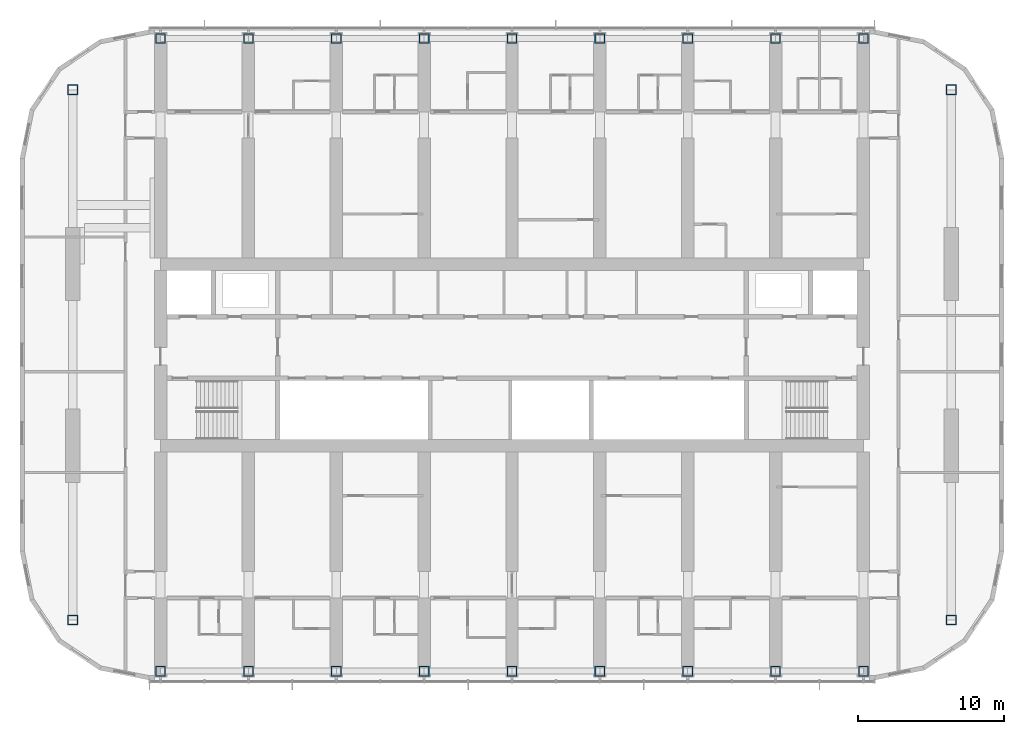
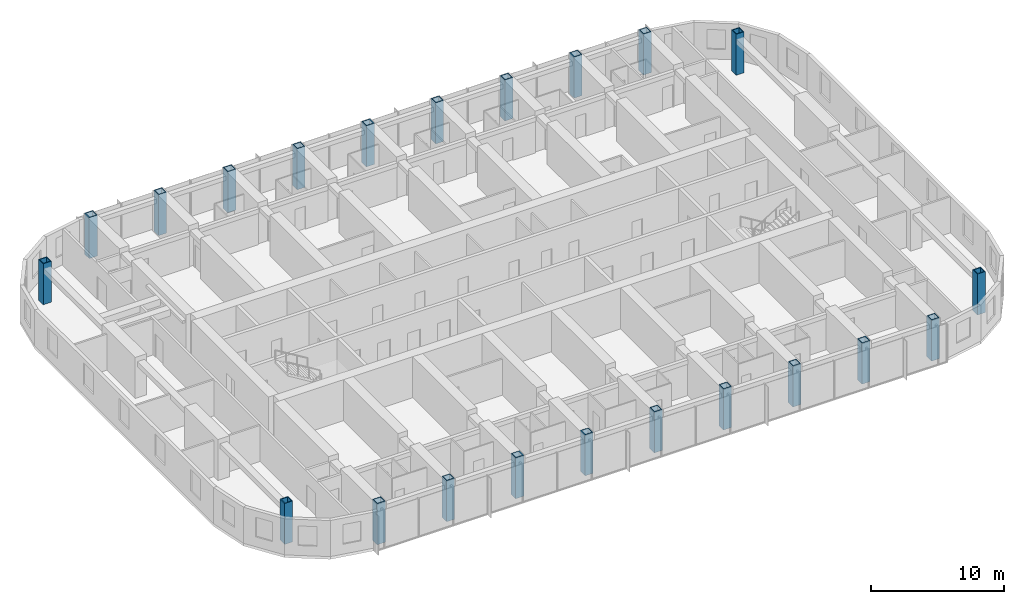
# One storey, part 1 of 22: 22 columns.
"""IFC4 building model written with IfcOpenShell, lengths in metres."""

from ifc_helpers import new_model, si_unit, direction, frame, origin, origin_2d, place, context, subcontext, project, spatial, hollow_rectangle, extrude, material, material_profile, profile_set, type_object, element, save


model = new_model("IFC4")

# Units and contexts
model_context = context("Model", 3, precision=1e-05, world=origin(), true_north=direction((0.0, 1.0)))
body_context = subcontext(model_context, "Body", "Model", "MODEL_VIEW")
ifc_project = project(units=[si_unit("LENGTHUNIT", "METRE"), si_unit("AREAUNIT", "SQUARE_METRE"), si_unit("VOLUMEUNIT", "CUBIC_METRE"), si_unit("PLANEANGLEUNIT", "RADIAN"), si_unit("MASSUNIT", "GRAM", prefix="KILO")], contexts=[model_context])

# Site, building, storey
site_placement = place(None, origin())
site = spatial("IfcSite", under=ifc_project, at=site_placement, CompositionType="ELEMENT")
building_placement = place(site_placement, origin())
building = spatial("IfcBuilding", under=site, at=building_placement, Name="Orbita Commons", CompositionType="ELEMENT")
storey_placement = place(building_placement, frame((0.0, 0.0, 159.85009765625)))
storey = spatial("IfcBuildingStorey", under=building, at=storey_placement, Name="L39", CompositionType="ELEMENT", Elevation=159.85009765625)

# Columns
ifc_material = material(Name="Steel ASTM A572 Gr 50 welded plate", Category="steel")
ifc_material_profile = material_profile(ifc_material, hollow_rectangle(XDim=0.699951171875, YDim=0.699951171875, WallThickness=0.070068359375, at=origin_2d()), Name="BOX 700x700x70")
ifc_profile_set = profile_set([ifc_material_profile], Name="Steel ASTM A572 Gr 50 welded plate")
column_type = type_object("IfcColumnType", Name="Steel column BOX 700x700x70", PredefinedType="COLUMN", material=ifc_profile_set)
for number, where, z_axis, x_axis, name in (
    (1, (18.0, 10.39990234375, 0.0), (0.0, 0.0, 1.0), (1.0, 0.0, 0.0), "Column 4/B L39"),
    (2, (18.0, 53.60009765625, 0.0), (0.0, 0.0, 1.0), (1.0, 0.0, 0.0), "Column 4/E L39"),
    (3, (24.0, 10.39990234375, 0.0), (0.0, 0.0, 1.0), (1.0, 0.0, 0.0), "Column 5/B L39"),
    (4, (24.0, 53.60009765625, 0.0), (0.0, 0.0, 1.0), (1.0, 0.0, 0.0), "Column 5/E L39"),
    (5, (30.0, 10.39990234375, 0.0), (0.0, 0.0, 1.0), (1.0, 0.0, 0.0), "Column 6/B L39"),
    (6, (30.0, 53.60009765625, 0.0), (0.0, 0.0, 1.0), (1.0, 0.0, 0.0), "Column 6/E L39"),
    (7, (36.0, 10.39990234375, 0.0), (0.0, 0.0, 1.0), (1.0, 0.0, 0.0), "Column 7/B L39"),
    (8, (36.0, 53.60009765625, 0.0), (0.0, 0.0, 1.0), (1.0, 0.0, 0.0), "Column 7/E L39"),
    (9, (42.0, 10.39990234375, 0.0), (0.0, 0.0, 1.0), (1.0, 0.0, 0.0), "Column 8/B L39"),
    (10, (42.0, 53.60009765625, 0.0), (0.0, 0.0, 1.0), (1.0, 0.0, 0.0), "Column 8/E L39"),
    (11, (48.0, 10.39990234375, 0.0), (0.0, 0.0, 1.0), (1.0, 0.0, 0.0), "Column 9/B L39"),
    (12, (48.0, 53.60009765625, 0.0), (0.0, 0.0, 1.0), (1.0, 0.0, 0.0), "Column 9/E L39"),
    (13, (54.0, 10.39990234375, 0.0), (0.0, 0.0, 1.0), (1.0, 0.0, 0.0), "Column 10/B L39"),
    (14, (54.0, 53.60009765625, 0.0), (0.0, 0.0, 1.0), (1.0, 0.0, 0.0), "Column 10/E L39"),
    (15, (60.0, 10.39990234375, 0.0), (0.0, 0.0, 1.0), (1.0, 0.0, 0.0), "Column 11/B L39"),
    (16, (60.0, 53.60009765625, 0.0), (0.0, 0.0, 1.0), (1.0, 0.0, 0.0), "Column 11/E L39"),
    (17, (66.0, 10.39990234375, 0.0), (0.0, 0.0, 1.0), (1.0, 0.0, 0.0), "Column 12/B L39"),
    (18, (66.0, 53.60009765625, 0.0), (0.0, 0.0, 1.0), (1.0, 0.0, 0.0), "Column 12/E L39"),
    (19, (12.0, 13.89990234375, 0.0), (0.0, 0.0, 1.0), (1.0, 0.0, 0.0), "Column 3/13.9 L39"),
    (20, (12.0, 50.10009765625, 0.0), (0.0, 0.0, 1.0), (1.0, 0.0, 0.0), "Column 3/50.1 L39"),
    (21, (72.0, 13.89990234375, 0.0), (0.0, 0.0, 1.0), (1.0, 0.0, 0.0), "Column 13/13.9 L39"),
    (22, (72.0, 50.10009765625, 0.0), (0.0, 0.0, 1.0), (1.0, 0.0, 0.0), "Column 13/50.1 L39"),
):
    element("IfcColumn", number, at=place(storey_placement, frame(where, z_axis=z_axis, x_axis=x_axis)), inside=storey, type_object=column_type, Name=name, PredefinedType="COLUMN", context=body_context, shape_type="SweptSolid", body=[
        extrude(hollow_rectangle(XDim=0.699951171875, YDim=0.699951171875, WallThickness=0.070068359375, at=origin_2d()), origin(), (0.0, 0.0, 1.0), 3.75),
    ])

save(model, "model.ifc")
